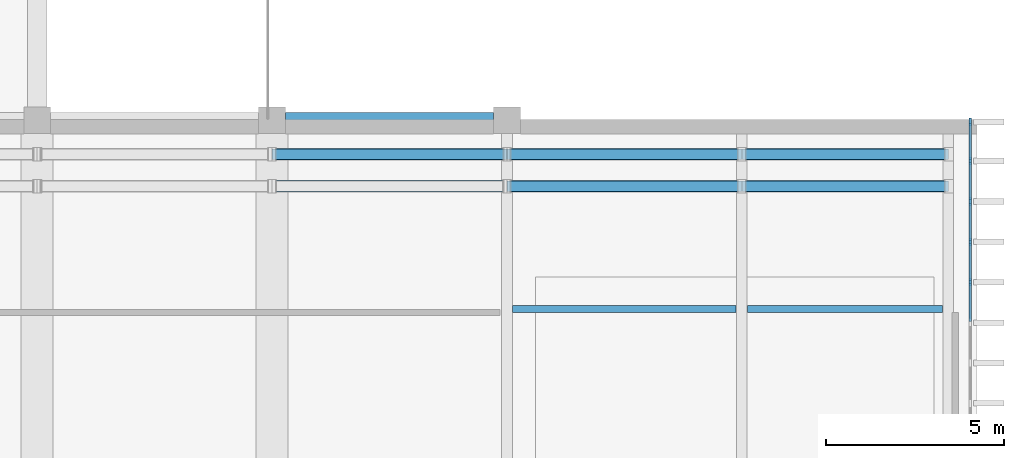
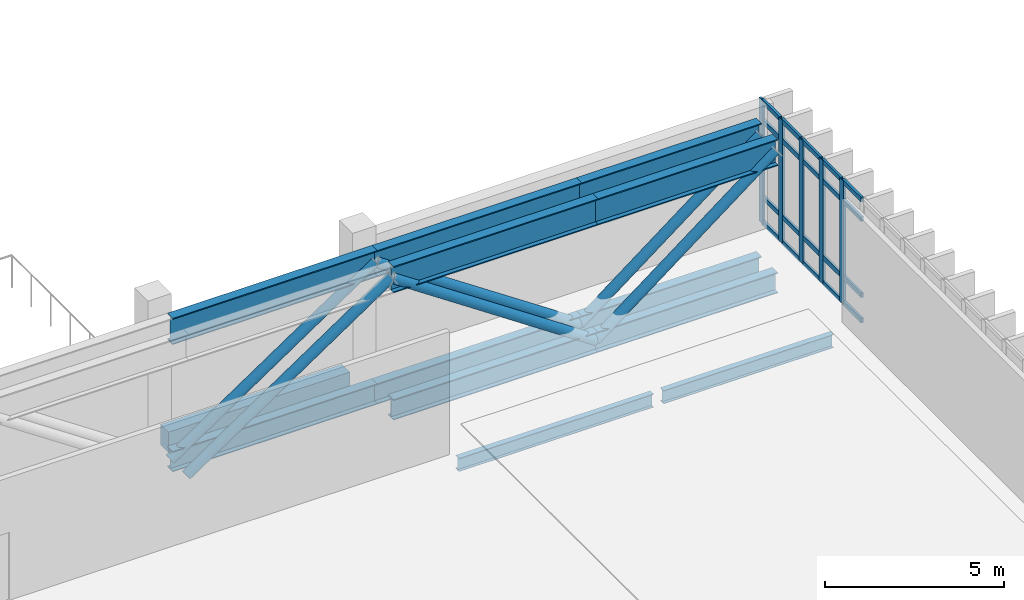
# One storey, part 25 of 54: 41 members, 3 beams, 1 element without a shape of its own.
"""IFC4 building model written with IfcOpenShell, lengths in metres."""

from ifc_helpers import new_model, si_unit, direction, frame, origin, origin_2d, place, context, subcontext, project, spatial, rectangle, hollow_circle, i_section, extrude, material, layer, layer_set, material_profile, profile_set, type_object, element, aggregate, save


model = new_model("IFC4")

# Units and contexts
model_context = context("Model", 3, precision=1e-05, world=origin(), true_north=direction((0.0, 1.0)))
body_context = subcontext(model_context, "Body", "Model", "MODEL_VIEW")
ifc_project = project(units=[si_unit("LENGTHUNIT", "METRE"), si_unit("AREAUNIT", "SQUARE_METRE"), si_unit("VOLUMEUNIT", "CUBIC_METRE"), si_unit("PLANEANGLEUNIT", "RADIAN"), si_unit("MASSUNIT", "GRAM", prefix="KILO")], contexts=[model_context])

# Site, building, storey
site_placement = place(None, origin())
site = spatial("IfcSite", under=ifc_project, at=site_placement, CompositionType="ELEMENT")
building_placement = place(site_placement, origin())
building = spatial("IfcBuilding", under=site, at=building_placement, Name="Kelarvand Opera House", CompositionType="ELEMENT")
storey_placement = place(building_placement, frame((0.0, 0.0, 15.0)))
storey = spatial("IfcBuildingStorey", under=building, at=storey_placement, Name="L03", CompositionType="ELEMENT", Elevation=15.0)

# Curtain wall, members
ifc_material_1 = material(Name="Thermally broken aluminium and low-E glazing", Category="aluminium")
ifc_layer = layer(ifc_material_1, 0.219970703125, Name="Thermally broken aluminium and low-E glazing", Category="aluminium")
ifc_layer_set = layer_set([ifc_layer], Name="Thermally broken aluminium and low-E glazing")
curtain_wall_type = type_object("IfcCurtainWallType", Name="Unitised Low-E Curtain Wall 15886x4200 Mod 1150 CWF-07", PredefinedType="USERDEFINED", material=ifc_layer_set)
curtain_wall_placement = place(storey_placement, origin())
curtain_wall = element("IfcCurtainWall", 1, at=curtain_wall_placement, inside=storey, type_object=curtain_wall_type, Name="V1 L03 Curtain Wall CWF-07 (21)", ObjectType="UNITISED CURTAIN WALL", PredefinedType="USERDEFINED")
ifc_material_2 = material(Name="Thermally broken anodised aluminium", Category="aluminium")
ifc_material_profile_1 = material_profile(ifc_material_2, rectangle(XDim=0.074951171875, YDim=0.219970703125, at=origin_2d()), Name="ALU MULLION 75x220", Category="aluminium")
ifc_profile_set_1 = profile_set([ifc_material_profile_1], Name="Thermally broken anodised aluminium")
member_type_1 = type_object("IfcMemberType", Name="Curtain Wall Mullion 75x220 Heavy Plaza", PredefinedType="MULLION", material=ifc_profile_set_1)
member_1_placement = place(storey_placement, frame((154.820068359375, 78.3525390625, 0.0), z_axis=(0.0, 0.0, 1.0), x_axis=(1.0, 0.0, 0.0)))
member_1 = element("IfcMember", 2, at=member_1_placement, type_object=member_type_1, Name="CWF-07 mullion 1", PredefinedType="MULLION", context=body_context, shape_type="SweptSolid", body=[
    extrude(rectangle(XDim=0.074951171875, YDim=0.219970703125, at=origin_2d()), origin(), (0.0, 0.0, 1.0), 4.199951171875),
])
member_2_placement = place(storey_placement, frame((154.820068359375, 77.25537109375, 0.0), z_axis=(0.0, 0.0, 1.0), x_axis=(1.0, 0.0, 0.0)))
member_2 = element("IfcMember", 3, at=member_2_placement, type_object=member_type_1, Name="CWF-07 mullion 2", PredefinedType="MULLION", context=body_context, shape_type="SweptSolid", body=[
    extrude(rectangle(XDim=0.074951171875, YDim=0.219970703125, at=origin_2d()), origin(), (0.0, 0.0, 1.0), 4.199951171875),
])
member_3_placement = place(storey_placement, frame((154.820068359375, 76.12060546875, 0.0), z_axis=(0.0, 0.0, 1.0), x_axis=(1.0, 0.0, 0.0)))
member_3 = element("IfcMember", 4, at=member_3_placement, type_object=member_type_1, Name="CWF-07 mullion 3", PredefinedType="MULLION", context=body_context, shape_type="SweptSolid", body=[
    extrude(rectangle(XDim=0.074951171875, YDim=0.219970703125, at=origin_2d()), origin(), (0.0, 0.0, 1.0), 4.199951171875),
])
member_4_placement = place(storey_placement, frame((154.820068359375, 74.98583984375, 0.0), z_axis=(0.0, 0.0, 1.0), x_axis=(1.0, 0.0, 0.0)))
member_4 = element("IfcMember", 5, at=member_4_placement, type_object=member_type_1, Name="CWF-07 mullion 4", PredefinedType="MULLION", context=body_context, shape_type="SweptSolid", body=[
    extrude(rectangle(XDim=0.074951171875, YDim=0.219970703125, at=origin_2d()), origin(), (0.0, 0.0, 1.0), 4.199951171875),
])
member_5_placement = place(storey_placement, frame((154.820068359375, 73.85107421875, 0.0), z_axis=(0.0, 0.0, 1.0), x_axis=(1.0, 0.0, 0.0)))
member_5 = element("IfcMember", 6, at=member_5_placement, type_object=member_type_1, Name="CWF-07 mullion 5", PredefinedType="MULLION", context=body_context, shape_type="SweptSolid", body=[
    extrude(rectangle(XDim=0.074951171875, YDim=0.219970703125, at=origin_2d()), origin(), (0.0, 0.0, 1.0), 4.199951171875),
])
ifc_material_profile_2 = material_profile(ifc_material_2, rectangle(XDim=0.074951171875, YDim=0.159912109375, at=origin_2d()), Name="ALU TRANSOM 75x160", Category="aluminium")
ifc_profile_set_2 = profile_set([ifc_material_profile_2], Name="Thermally broken anodised aluminium")
member_type_2 = type_object("IfcMemberType", Name="Curtain Wall Transom 75x160 Heavy Plaza", PredefinedType="USERDEFINED", material=ifc_profile_set_2)
member_6_placement = place(storey_placement, frame((154.820068359375, 78.31494140625, 0.03759765625), z_axis=(0.0, -1.0, 0.0), x_axis=(1.0, 0.0, 0.0)))
member_6 = element("IfcMember", 7, at=member_6_placement, type_object=member_type_2, Name="CWF-07 transom 1.1", ObjectType="TRANSOM", PredefinedType="USERDEFINED", context=body_context, shape_type="SweptSolid", body=[
    extrude(rectangle(XDim=0.074951171875, YDim=0.159912109375, at=origin_2d()), origin(), (0.0, 0.0, 1.0), 1.022216796875),
])
member_7_placement = place(storey_placement, frame((154.820068359375, 78.31494140625, 0.89990234375), z_axis=(0.0, -1.0, 0.0), x_axis=(1.0, 0.0, 0.0)))
member_7 = element("IfcMember", 8, at=member_7_placement, type_object=member_type_2, Name="CWF-07 transom 1.2", ObjectType="TRANSOM", PredefinedType="USERDEFINED", context=body_context, shape_type="SweptSolid", body=[
    extrude(rectangle(XDim=0.074951171875, YDim=0.159912109375, at=origin_2d()), origin(), (0.0, 0.0, 1.0), 1.022216796875),
])
member_8_placement = place(storey_placement, frame((154.820068359375, 78.31494140625, 3.5), z_axis=(0.0, -1.0, 0.0), x_axis=(1.0, 0.0, 0.0)))
member_8 = element("IfcMember", 9, at=member_8_placement, type_object=member_type_2, Name="CWF-07 transom 1.3", ObjectType="TRANSOM", PredefinedType="USERDEFINED", context=body_context, shape_type="SweptSolid", body=[
    extrude(rectangle(XDim=0.074951171875, YDim=0.159912109375, at=origin_2d()), origin(), (0.0, 0.0, 1.0), 1.022216796875),
])
member_9_placement = place(storey_placement, frame((154.820068359375, 78.31494140625, 4.16259765625), z_axis=(0.0, -1.0, 0.0), x_axis=(1.0, 0.0, 0.0)))
member_9 = element("IfcMember", 10, at=member_9_placement, type_object=member_type_2, Name="CWF-07 transom 1.4", ObjectType="TRANSOM", PredefinedType="USERDEFINED", context=body_context, shape_type="SweptSolid", body=[
    extrude(rectangle(XDim=0.074951171875, YDim=0.159912109375, at=origin_2d()), origin(), (0.0, 0.0, 1.0), 1.022216796875),
])
member_10_placement = place(storey_placement, frame((154.820068359375, 77.2177734375, 0.03759765625), z_axis=(0.0, -1.0, 0.0), x_axis=(1.0, 0.0, 0.0)))
member_10 = element("IfcMember", 11, at=member_10_placement, type_object=member_type_2, Name="CWF-07 transom 2.1", ObjectType="TRANSOM", PredefinedType="USERDEFINED", context=body_context, shape_type="SweptSolid", body=[
    extrude(rectangle(XDim=0.074951171875, YDim=0.159912109375, at=origin_2d()), origin(), (0.0, 0.0, 1.0), 1.059814453125),
])
member_11_placement = place(storey_placement, frame((154.820068359375, 77.2177734375, 0.89990234375), z_axis=(0.0, -1.0, 0.0), x_axis=(1.0, 0.0, 0.0)))
member_11 = element("IfcMember", 12, at=member_11_placement, type_object=member_type_2, Name="CWF-07 transom 2.2", ObjectType="TRANSOM", PredefinedType="USERDEFINED", context=body_context, shape_type="SweptSolid", body=[
    extrude(rectangle(XDim=0.074951171875, YDim=0.159912109375, at=origin_2d()), origin(), (0.0, 0.0, 1.0), 1.059814453125),
])
member_12_placement = place(storey_placement, frame((154.820068359375, 77.2177734375, 3.5), z_axis=(0.0, -1.0, 0.0), x_axis=(1.0, 0.0, 0.0)))
member_12 = element("IfcMember", 13, at=member_12_placement, type_object=member_type_2, Name="CWF-07 transom 2.3", ObjectType="TRANSOM", PredefinedType="USERDEFINED", context=body_context, shape_type="SweptSolid", body=[
    extrude(rectangle(XDim=0.074951171875, YDim=0.159912109375, at=origin_2d()), origin(), (0.0, 0.0, 1.0), 1.059814453125),
])
member_13_placement = place(storey_placement, frame((154.820068359375, 77.2177734375, 4.16259765625), z_axis=(0.0, -1.0, 0.0), x_axis=(1.0, 0.0, 0.0)))
member_13 = element("IfcMember", 14, at=member_13_placement, type_object=member_type_2, Name="CWF-07 transom 2.4", ObjectType="TRANSOM", PredefinedType="USERDEFINED", context=body_context, shape_type="SweptSolid", body=[
    extrude(rectangle(XDim=0.074951171875, YDim=0.159912109375, at=origin_2d()), origin(), (0.0, 0.0, 1.0), 1.059814453125),
])
member_14_placement = place(storey_placement, frame((154.820068359375, 76.0830078125, 0.03759765625), z_axis=(0.0, -1.0, 0.0), x_axis=(1.0, 0.0, 0.0)))
member_14 = element("IfcMember", 15, at=member_14_placement, type_object=member_type_2, Name="CWF-07 transom 3.1", ObjectType="TRANSOM", PredefinedType="USERDEFINED", context=body_context, shape_type="SweptSolid", body=[
    extrude(rectangle(XDim=0.074951171875, YDim=0.159912109375, at=origin_2d()), origin(), (0.0, 0.0, 1.0), 1.0595703125),
])
member_15_placement = place(storey_placement, frame((154.820068359375, 76.0830078125, 0.89990234375), z_axis=(0.0, -1.0, 0.0), x_axis=(1.0, 0.0, 0.0)))
member_15 = element("IfcMember", 16, at=member_15_placement, type_object=member_type_2, Name="CWF-07 transom 3.2", ObjectType="TRANSOM", PredefinedType="USERDEFINED", context=body_context, shape_type="SweptSolid", body=[
    extrude(rectangle(XDim=0.074951171875, YDim=0.159912109375, at=origin_2d()), origin(), (0.0, 0.0, 1.0), 1.0595703125),
])
member_16_placement = place(storey_placement, frame((154.820068359375, 76.0830078125, 3.5), z_axis=(0.0, -1.0, 0.0), x_axis=(1.0, 0.0, 0.0)))
member_16 = element("IfcMember", 17, at=member_16_placement, type_object=member_type_2, Name="CWF-07 transom 3.3", ObjectType="TRANSOM", PredefinedType="USERDEFINED", context=body_context, shape_type="SweptSolid", body=[
    extrude(rectangle(XDim=0.074951171875, YDim=0.159912109375, at=origin_2d()), origin(), (0.0, 0.0, 1.0), 1.0595703125),
])
member_17_placement = place(storey_placement, frame((154.820068359375, 76.0830078125, 4.16259765625), z_axis=(0.0, -1.0, 0.0), x_axis=(1.0, 0.0, 0.0)))
member_17 = element("IfcMember", 18, at=member_17_placement, type_object=member_type_2, Name="CWF-07 transom 3.4", ObjectType="TRANSOM", PredefinedType="USERDEFINED", context=body_context, shape_type="SweptSolid", body=[
    extrude(rectangle(XDim=0.074951171875, YDim=0.159912109375, at=origin_2d()), origin(), (0.0, 0.0, 1.0), 1.0595703125),
])
member_18_placement = place(storey_placement, frame((154.820068359375, 74.9482421875, 0.03759765625), z_axis=(0.0, -1.0, 0.0), x_axis=(1.0, 0.0, 0.0)))
member_18 = element("IfcMember", 19, at=member_18_placement, type_object=member_type_2, Name="CWF-07 transom 4.1", ObjectType="TRANSOM", PredefinedType="USERDEFINED", context=body_context, shape_type="SweptSolid", body=[
    extrude(rectangle(XDim=0.074951171875, YDim=0.159912109375, at=origin_2d()), origin(), (0.0, 0.0, 1.0), 1.0595703125),
])
member_19_placement = place(storey_placement, frame((154.820068359375, 74.9482421875, 0.89990234375), z_axis=(0.0, -1.0, 0.0), x_axis=(1.0, 0.0, 0.0)))
member_19 = element("IfcMember", 20, at=member_19_placement, type_object=member_type_2, Name="CWF-07 transom 4.2", ObjectType="TRANSOM", PredefinedType="USERDEFINED", context=body_context, shape_type="SweptSolid", body=[
    extrude(rectangle(XDim=0.074951171875, YDim=0.159912109375, at=origin_2d()), origin(), (0.0, 0.0, 1.0), 1.0595703125),
])
member_20_placement = place(storey_placement, frame((154.820068359375, 74.9482421875, 3.5), z_axis=(0.0, -1.0, 0.0), x_axis=(1.0, 0.0, 0.0)))
member_20 = element("IfcMember", 21, at=member_20_placement, type_object=member_type_2, Name="CWF-07 transom 4.3", ObjectType="TRANSOM", PredefinedType="USERDEFINED", context=body_context, shape_type="SweptSolid", body=[
    extrude(rectangle(XDim=0.074951171875, YDim=0.159912109375, at=origin_2d()), origin(), (0.0, 0.0, 1.0), 1.0595703125),
])
member_21_placement = place(storey_placement, frame((154.820068359375, 74.9482421875, 4.16259765625), z_axis=(0.0, -1.0, 0.0), x_axis=(1.0, 0.0, 0.0)))
member_21 = element("IfcMember", 22, at=member_21_placement, type_object=member_type_2, Name="CWF-07 transom 4.4", ObjectType="TRANSOM", PredefinedType="USERDEFINED", context=body_context, shape_type="SweptSolid", body=[
    extrude(rectangle(XDim=0.074951171875, YDim=0.159912109375, at=origin_2d()), origin(), (0.0, 0.0, 1.0), 1.0595703125),
])
member_22_placement = place(storey_placement, frame((154.820068359375, 73.813720703125, 0.03759765625), z_axis=(0.0, -1.0, 0.0), x_axis=(1.0, 0.0, 0.0)))
member_22 = element("IfcMember", 23, at=member_22_placement, type_object=member_type_2, Name="CWF-07 transom 5.1", ObjectType="TRANSOM", PredefinedType="USERDEFINED", context=body_context, shape_type="SweptSolid", body=[
    extrude(rectangle(XDim=0.074951171875, YDim=0.159912109375, at=origin_2d()), origin(), (0.0, 0.0, 1.0), 1.059814453125),
])
member_23_placement = place(storey_placement, frame((154.820068359375, 73.813720703125, 0.89990234375), z_axis=(0.0, -1.0, 0.0), x_axis=(1.0, 0.0, 0.0)))
member_23 = element("IfcMember", 24, at=member_23_placement, type_object=member_type_2, Name="CWF-07 transom 5.2", ObjectType="TRANSOM", PredefinedType="USERDEFINED", context=body_context, shape_type="SweptSolid", body=[
    extrude(rectangle(XDim=0.074951171875, YDim=0.159912109375, at=origin_2d()), origin(), (0.0, 0.0, 1.0), 1.059814453125),
])
member_24_placement = place(storey_placement, frame((154.820068359375, 73.813720703125, 3.5), z_axis=(0.0, -1.0, 0.0), x_axis=(1.0, 0.0, 0.0)))
member_24 = element("IfcMember", 25, at=member_24_placement, type_object=member_type_2, Name="CWF-07 transom 5.3", ObjectType="TRANSOM", PredefinedType="USERDEFINED", context=body_context, shape_type="SweptSolid", body=[
    extrude(rectangle(XDim=0.074951171875, YDim=0.159912109375, at=origin_2d()), origin(), (0.0, 0.0, 1.0), 1.059814453125),
])
member_25_placement = place(storey_placement, frame((154.820068359375, 73.813720703125, 4.16259765625), z_axis=(0.0, -1.0, 0.0), x_axis=(1.0, 0.0, 0.0)))
member_25 = element("IfcMember", 26, at=member_25_placement, type_object=member_type_2, Name="CWF-07 transom 5.4", ObjectType="TRANSOM", PredefinedType="USERDEFINED", context=body_context, shape_type="SweptSolid", body=[
    extrude(rectangle(XDim=0.074951171875, YDim=0.159912109375, at=origin_2d()), origin(), (0.0, 0.0, 1.0), 1.059814453125),
])
aggregate(curtain_wall, [member_1, member_2, member_3, member_4, member_5, member_6, member_7, member_8, member_9, member_10, member_11, member_12, member_13, member_14, member_15, member_16, member_17, member_18, member_19, member_20, member_21, member_22, member_23, member_24, member_25])

# Beam
ifc_material_3 = material(Name="Concrete C40/50", Category="concrete")
ifc_material_profile_3 = material_profile(ifc_material_3, rectangle(XDim=0.449951171875, YDim=0.699951171875, at=origin_2d()), Name="RC 450x700", Category="concrete")
ifc_profile_set_3 = profile_set([ifc_material_profile_3], Name="Concrete C40/50")
beam_type_1 = type_object("IfcBeamType", Name="Structural Beam RC 450x700 BM-RC450x700", PredefinedType="BEAM", material=ifc_profile_set_3)
beam_1_placement = place(storey_placement, frame((135.574951171875, 78.39990234375, -0.669921875), z_axis=(1.0, 0.0, 0.0), x_axis=(0.0, 1.0, 0.0)))
element("IfcBeam", 27, at=beam_1_placement, inside=storey, type_object=beam_type_1, Name="V1 L03 Beam BM-RC450x700", PredefinedType="BEAM", context=body_context, shape_type="SweptSolid", body=[
    extrude(rectangle(XDim=0.449951171875, YDim=0.699951171875, at=origin_2d()), origin(), (0.0, 0.0, 1.0), 5.85009765625),
])

# Members
ifc_material_4 = material(Name="Steel S355", Category="steel")
ifc_material_profile_4 = material_profile(ifc_material_4, hollow_circle(Radius=0.161865234375, WallThickness=0.01611328125, at=origin_2d()), Name="CHS 323.9x16.0", Category="steel")
ifc_profile_set_4 = profile_set([ifc_material_profile_4], Name="Steel S355")
member_type_3 = type_object("IfcMemberType", Name="Structural Brace CHS 323.9x16.0 BR-CHS324", PredefinedType="BRACE", material=ifc_profile_set_4)
member_26_placement = place(storey_placement, frame((135.199951171875, 76.550048828125, -0.669921875), z_axis=(0.829729346585, 0.0, 0.558165935377), x_axis=(0.0, 1.0, 0.0)))
element("IfcMember", 28, at=member_26_placement, inside=storey, type_object=member_type_3, Name="Cantilever Truss CT3 Upper Diagonal 4", PredefinedType="BRACE", context=body_context, shape_type="SweptSolid", body=[
    extrude(hollow_circle(Radius=0.161865234375, WallThickness=0.01611328125, at=origin_2d()), origin(), (0.0, 0.0, 1.0), 7.95458984375),
])
member_27_placement = place(storey_placement, frame((141.800048828125, 76.550048828125, 3.77001953125), z_axis=(0.82971978413, 0.0, -0.558180149972), x_axis=(0.0, 1.0, 0.0)))
element("IfcMember", 29, at=member_27_placement, inside=storey, type_object=member_type_3, Name="Cantilever Truss CT3 Upper Diagonal 5", PredefinedType="BRACE", context=body_context, shape_type="SweptSolid", body=[
    extrude(hollow_circle(Radius=0.161865234375, WallThickness=0.01611328125, at=origin_2d()), origin(), (0.0, 0.0, 1.0), 7.954345703125),
])
member_28_placement = place(storey_placement, frame((148.39990234375, 76.550048828125, -0.669921875), z_axis=(0.79405319556, 0.0, 0.607848272697), x_axis=(0.0, 1.0, 0.0)))
element("IfcMember", 30, at=member_28_placement, inside=storey, type_object=member_type_3, Name="Cantilever Truss CT3 Upper Diagonal 6", PredefinedType="BRACE", context=body_context, shape_type="SweptSolid", body=[
    extrude(hollow_circle(Radius=0.161865234375, WallThickness=0.01611328125, at=origin_2d()), origin(), (0.0, 0.0, 1.0), 7.304443359375),
])
member_29_placement = place(storey_placement, frame((135.199951171875, 77.449951171875, -0.669921875), z_axis=(0.829729346585, 0.0, 0.558165935377), x_axis=(0.0, 1.0, 0.0)))
element("IfcMember", 31, at=member_29_placement, inside=storey, type_object=member_type_3, Name="Cantilever Truss CT4 Upper Diagonal 4", PredefinedType="BRACE", context=body_context, shape_type="SweptSolid", body=[
    extrude(hollow_circle(Radius=0.161865234375, WallThickness=0.01611328125, at=origin_2d()), origin(), (0.0, 0.0, 1.0), 7.95458984375),
])
member_30_placement = place(storey_placement, frame((141.800048828125, 77.449951171875, 3.77001953125), z_axis=(0.82971978413, 0.0, -0.558180149972), x_axis=(0.0, 1.0, 0.0)))
element("IfcMember", 32, at=member_30_placement, inside=storey, type_object=member_type_3, Name="Cantilever Truss CT4 Upper Diagonal 5", PredefinedType="BRACE", context=body_context, shape_type="SweptSolid", body=[
    extrude(hollow_circle(Radius=0.161865234375, WallThickness=0.01611328125, at=origin_2d()), origin(), (0.0, 0.0, 1.0), 7.954345703125),
])
member_31_placement = place(storey_placement, frame((148.39990234375, 77.449951171875, -0.669921875), z_axis=(0.79405319556, 0.0, 0.607848272697), x_axis=(0.0, 1.0, 0.0)))
element("IfcMember", 33, at=member_31_placement, inside=storey, type_object=member_type_3, Name="Cantilever Truss CT4 Upper Diagonal 6", PredefinedType="BRACE", context=body_context, shape_type="SweptSolid", body=[
    extrude(hollow_circle(Radius=0.161865234375, WallThickness=0.01611328125, at=origin_2d()), origin(), (0.0, 0.0, 1.0), 7.304443359375),
])
ifc_material_profile_5 = material_profile(ifc_material_4, i_section(OverallWidth=0.300048828125, OverallDepth=0.699951171875, WebThickness=0.01708984375, FlangeThickness=0.031982421875, at=origin_2d()), Name="HEB 700", Category="steel")
ifc_profile_set_5 = profile_set([ifc_material_profile_5], Name="Steel S355")
member_type_4 = type_object("IfcMemberType", Name="Structural Chord HEB 700 CH-HEB700", PredefinedType="CHORD", material=ifc_profile_set_5)
member_32_placement = place(storey_placement, frame((141.800048828125, 76.550048828125, -0.669921875), z_axis=(1.0, 0.0, 0.0), x_axis=(0.0, 1.0, 0.0)))
element("IfcMember", 34, at=member_32_placement, inside=storey, type_object=member_type_4, Name="Cantilever Truss CT3 Tie Chord 5", PredefinedType="CHORD", context=body_context, shape_type="SweptSolid", body=[
    extrude(i_section(OverallWidth=0.300048828125, OverallDepth=0.699951171875, WebThickness=0.01708984375, FlangeThickness=0.031982421875, at=origin_2d()), origin(), (0.0, 0.0, 1.0), 6.599853515625),
])
member_33_placement = place(storey_placement, frame((148.39990234375, 76.550048828125, -0.669921875), z_axis=(1.0, 0.0, 0.0), x_axis=(0.0, 1.0, 0.0)))
element("IfcMember", 35, at=member_33_placement, inside=storey, type_object=member_type_4, Name="Cantilever Truss CT3 Tie Chord 6", PredefinedType="CHORD", context=body_context, shape_type="SweptSolid", body=[
    extrude(i_section(OverallWidth=0.300048828125, OverallDepth=0.699951171875, WebThickness=0.01708984375, FlangeThickness=0.031982421875, at=origin_2d()), origin(), (0.0, 0.0, 1.0), 5.800048828125),
])
member_34_placement = place(storey_placement, frame((135.199951171875, 77.449951171875, -0.669921875), z_axis=(1.0, 0.0, 0.0), x_axis=(0.0, 1.0, 0.0)))
element("IfcMember", 36, at=member_34_placement, inside=storey, type_object=member_type_4, Name="Cantilever Truss CT4 Tie Chord 4", PredefinedType="CHORD", context=body_context, shape_type="SweptSolid", body=[
    extrude(i_section(OverallWidth=0.300048828125, OverallDepth=0.699951171875, WebThickness=0.01708984375, FlangeThickness=0.031982421875, at=origin_2d()), origin(), (0.0, 0.0, 1.0), 6.60009765625),
])
member_35_placement = place(storey_placement, frame((141.800048828125, 77.449951171875, -0.669921875), z_axis=(1.0, 0.0, 0.0), x_axis=(0.0, 1.0, 0.0)))
element("IfcMember", 37, at=member_35_placement, inside=storey, type_object=member_type_4, Name="Cantilever Truss CT4 Tie Chord 5", PredefinedType="CHORD", context=body_context, shape_type="SweptSolid", body=[
    extrude(i_section(OverallWidth=0.300048828125, OverallDepth=0.699951171875, WebThickness=0.01708984375, FlangeThickness=0.031982421875, at=origin_2d()), origin(), (0.0, 0.0, 1.0), 6.599853515625),
])
member_36_placement = place(storey_placement, frame((148.39990234375, 77.449951171875, -0.669921875), z_axis=(1.0, 0.0, 0.0), x_axis=(0.0, 1.0, 0.0)))
element("IfcMember", 38, at=member_36_placement, inside=storey, type_object=member_type_4, Name="Cantilever Truss CT4 Tie Chord 6", PredefinedType="CHORD", context=body_context, shape_type="SweptSolid", body=[
    extrude(i_section(OverallWidth=0.300048828125, OverallDepth=0.699951171875, WebThickness=0.01708984375, FlangeThickness=0.031982421875, at=origin_2d()), origin(), (0.0, 0.0, 1.0), 5.800048828125),
])
ifc_material_profile_6 = material_profile(ifc_material_4, i_section(OverallWidth=0.300048828125, OverallDepth=0.89990234375, WebThickness=0.0185546875, FlangeThickness=0.034912109375, at=origin_2d()), Name="HEB 900", Category="steel")
ifc_profile_set_6 = profile_set([ifc_material_profile_6], Name="Steel S355")
member_type_5 = type_object("IfcMemberType", Name="Structural Chord HEB 900 CH-HEB900", PredefinedType="CHORD", material=ifc_profile_set_6)
member_37_placement = place(storey_placement, frame((141.800048828125, 76.550048828125, 3.77001953125), z_axis=(1.0, 0.0, 0.0), x_axis=(0.0, 1.0, 0.0)))
element("IfcMember", 39, at=member_37_placement, inside=storey, type_object=member_type_5, Name="Cantilever Truss CT3 Top Chord 5", PredefinedType="CHORD", context=body_context, shape_type="SweptSolid", body=[
    extrude(i_section(OverallWidth=0.300048828125, OverallDepth=0.89990234375, WebThickness=0.0185546875, FlangeThickness=0.034912109375, at=origin_2d()), origin(), (0.0, 0.0, 1.0), 6.599853515625),
])
member_38_placement = place(storey_placement, frame((148.39990234375, 76.550048828125, 3.77001953125), z_axis=(1.0, 0.0, 0.0), x_axis=(0.0, 1.0, 0.0)))
element("IfcMember", 40, at=member_38_placement, inside=storey, type_object=member_type_5, Name="Cantilever Truss CT3 Top Chord 6", PredefinedType="CHORD", context=body_context, shape_type="SweptSolid", body=[
    extrude(i_section(OverallWidth=0.300048828125, OverallDepth=0.89990234375, WebThickness=0.0185546875, FlangeThickness=0.034912109375, at=origin_2d()), origin(), (0.0, 0.0, 1.0), 5.800048828125),
])
member_39_placement = place(storey_placement, frame((135.199951171875, 77.449951171875, 3.77001953125), z_axis=(1.0, 0.0, 0.0), x_axis=(0.0, 1.0, 0.0)))
element("IfcMember", 41, at=member_39_placement, inside=storey, type_object=member_type_5, Name="Cantilever Truss CT4 Top Chord 4", PredefinedType="CHORD", context=body_context, shape_type="SweptSolid", body=[
    extrude(i_section(OverallWidth=0.300048828125, OverallDepth=0.89990234375, WebThickness=0.0185546875, FlangeThickness=0.034912109375, at=origin_2d()), origin(), (0.0, 0.0, 1.0), 6.60009765625),
])
member_40_placement = place(storey_placement, frame((141.800048828125, 77.449951171875, 3.77001953125), z_axis=(1.0, 0.0, 0.0), x_axis=(0.0, 1.0, 0.0)))
element("IfcMember", 42, at=member_40_placement, inside=storey, type_object=member_type_5, Name="Cantilever Truss CT4 Top Chord 5", PredefinedType="CHORD", context=body_context, shape_type="SweptSolid", body=[
    extrude(i_section(OverallWidth=0.300048828125, OverallDepth=0.89990234375, WebThickness=0.0185546875, FlangeThickness=0.034912109375, at=origin_2d()), origin(), (0.0, 0.0, 1.0), 6.599853515625),
])
member_41_placement = place(storey_placement, frame((148.39990234375, 77.449951171875, 3.77001953125), z_axis=(1.0, 0.0, 0.0), x_axis=(0.0, 1.0, 0.0)))
element("IfcMember", 43, at=member_41_placement, inside=storey, type_object=member_type_5, Name="Cantilever Truss CT4 Top Chord 6", PredefinedType="CHORD", context=body_context, shape_type="SweptSolid", body=[
    extrude(i_section(OverallWidth=0.300048828125, OverallDepth=0.89990234375, WebThickness=0.0185546875, FlangeThickness=0.034912109375, at=origin_2d()), origin(), (0.0, 0.0, 1.0), 5.800048828125),
])

# Beams
ifc_material_profile_7 = material_profile(ifc_material_4, i_section(OverallWidth=0.18994140625, OverallDepth=0.449951171875, WebThickness=0.009521484375, FlangeThickness=0.0146484375, at=origin_2d()), Name="IPE 450", Category="steel")
ifc_profile_set_7 = profile_set([ifc_material_profile_7], Name="Steel S355")
beam_type_2 = type_object("IfcBeamType", Name="Structural Joist IPE 450 JS-IPE450", PredefinedType="JOIST", material=ifc_profile_set_7)
beam_2_placement = place(storey_placement, frame((141.9599609375, 73.10009765625, -0.544921875), z_axis=(1.0, 0.0, 0.0), x_axis=(0.0, 1.0, 0.0)))
element("IfcBeam", 44, at=beam_2_placement, inside=storey, type_object=beam_type_2, Name="V1 L03 Beam JS-IPE450", PredefinedType="JOIST", context=body_context, shape_type="SweptSolid", body=[
    extrude(i_section(OverallWidth=0.18994140625, OverallDepth=0.449951171875, WebThickness=0.009521484375, FlangeThickness=0.0146484375, at=origin_2d()), origin(), (0.0, 0.0, 1.0), 6.280029296875),
])
beam_3_placement = place(storey_placement, frame((148.56005859375, 73.10009765625, -0.544921875), z_axis=(1.0, 0.0, 0.0), x_axis=(0.0, 1.0, 0.0)))
element("IfcBeam", 45, at=beam_3_placement, inside=storey, type_object=beam_type_2, Name="V1 L03 Beam JS-IPE450", PredefinedType="JOIST", context=body_context, shape_type="SweptSolid", body=[
    extrude(i_section(OverallWidth=0.18994140625, OverallDepth=0.449951171875, WebThickness=0.009521484375, FlangeThickness=0.0146484375, at=origin_2d()), origin(), (0.0, 0.0, 1.0), 5.47998046875),
])

save(model, "model.ifc")
